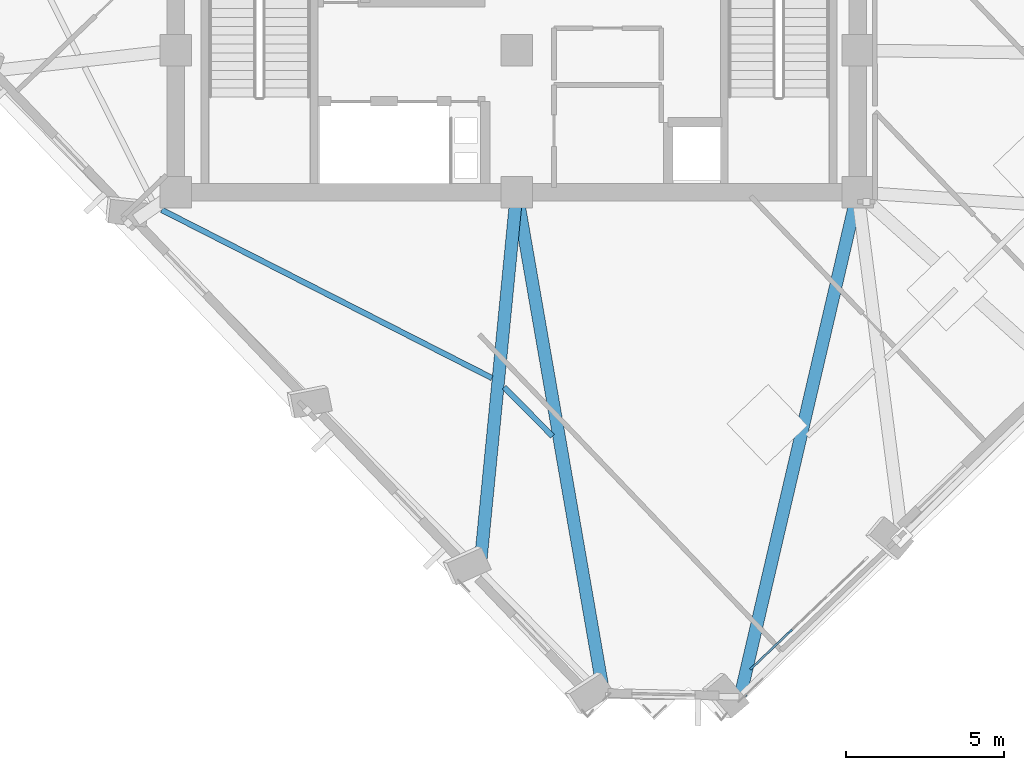
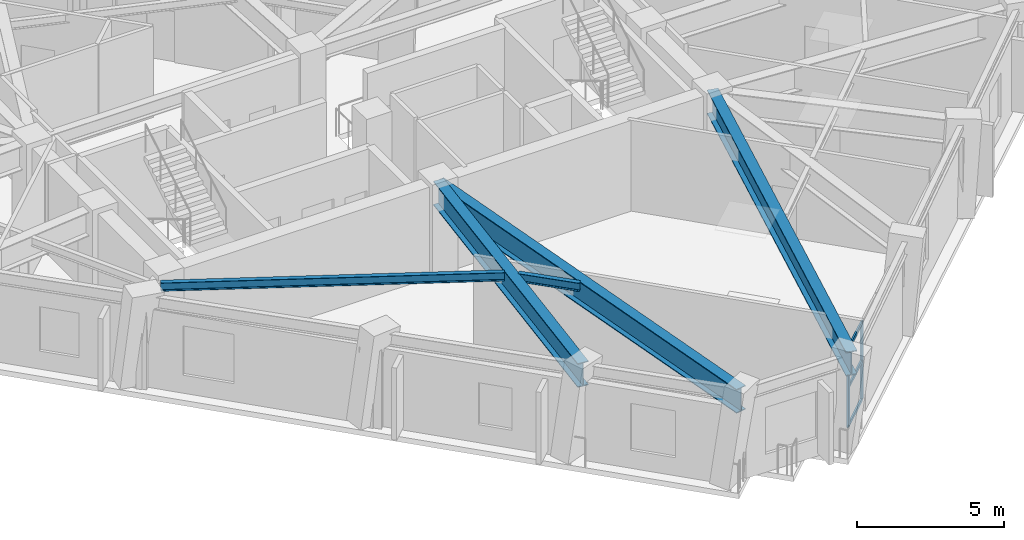
# One storey, part 2 of 17: 5 beams, 5 members, 1 element without a shape of its own.
"""IFC4 building model written with IfcOpenShell, lengths in metres."""

from ifc_helpers import new_model, si_unit, direction, frame, origin, origin_2d, place, context, subcontext, project, spatial, rectangle, i_section, extrude, material, material_profile, profile_set, type_object, element, aggregate, save


model = new_model("IFC4")

# Units and contexts
model_context = context("Model", 3, precision=1e-05, world=origin(), true_north=direction((0.0, 1.0)))
body_context = subcontext(model_context, "Body", "Model", "MODEL_VIEW")
ifc_project = project(units=[si_unit("LENGTHUNIT", "METRE"), si_unit("AREAUNIT", "SQUARE_METRE"), si_unit("VOLUMEUNIT", "CUBIC_METRE"), si_unit("PLANEANGLEUNIT", "RADIAN"), si_unit("MASSUNIT", "GRAM", prefix="KILO")], contexts=[model_context])

# Site, building, storey
site_placement = place(None, origin())
site = spatial("IfcSite", under=ifc_project, at=site_placement, CompositionType="ELEMENT")
building_placement = place(site_placement, origin())
building = spatial("IfcBuilding", under=site, at=building_placement, Name="Gaonmaruhae Medical Tower", CompositionType="ELEMENT")
storey_placement = place(building_placement, frame((0.0, 0.0, 211.199951171875)))
storey = spatial("IfcBuildingStorey", under=building, at=storey_placement, Name="L50", CompositionType="ELEMENT", Elevation=211.199951171875)

# Beams
ifc_material_1 = material(Name="Steel SM420", Category="steel")
ifc_material_profile_1 = material_profile(ifc_material_1, i_section(OverallWidth=0.39990234375, OverallDepth=1.0, WebThickness=0.02197265625, FlangeThickness=0.035888671875, at=origin_2d()), Name="BH-1000x400x22x36")
ifc_profile_set_1 = profile_set([ifc_material_profile_1], Name="Steel SM420")
beam_type_1 = type_object("IfcBeamType", Name="BG-02 Refuge Floor Primary Girder (BH-1000x400x22x36)", PredefinedType="BEAM", material=ifc_profile_set_1)
beam_1_placement = place(storey_placement, frame((35.588623046875, 7.751220703125, 3.280029296875), z_axis=(-0.226871265317, -0.973924755294, 0.0), x_axis=(0.973924755294, -0.226871265317, 0.0)))
element("IfcBeam", 1, at=beam_1_placement, inside=storey, type_object=beam_type_1, Name="L50 Radial Primary Girder S01", PredefinedType="BEAM", context=body_context, shape_type="SweptSolid", body=[
    extrude(i_section(OverallWidth=0.39990234375, OverallDepth=1.0, WebThickness=0.02197265625, FlangeThickness=0.035888671875, at=origin_2d()), origin(), (0.0, 0.0, 1.0), 16.30419921875),
])
beam_2_placement = place(storey_placement, frame((24.795166015625, 7.750244140625, 3.280029296875), z_axis=(-0.097360663717, -0.995249165365, 0.0), x_axis=(0.995249165365, -0.097360663717, 0.0)))
element("IfcBeam", 2, at=beam_2_placement, inside=storey, type_object=beam_type_1, Name="L50 Radial Primary Girder W05", PredefinedType="BEAM", context=body_context, shape_type="SweptSolid", body=[
    extrude(i_section(OverallWidth=0.39990234375, OverallDepth=1.0, WebThickness=0.02197265625, FlangeThickness=0.035888671875, at=origin_2d()), origin(), (0.0, 0.0, 1.0), 11.923583984375),
])
beam_3_placement = place(storey_placement, frame((24.80859375, 7.750732421875, 3.280029296875), z_axis=(0.170796152332, -0.985306386029, 0.0), x_axis=(0.985306386029, 0.170796152332, 0.0)))
element("IfcBeam", 3, at=beam_3_placement, inside=storey, type_object=beam_type_1, Name="L50 Radial Primary Girder W06", PredefinedType="BEAM", context=body_context, shape_type="SweptSolid", body=[
    extrude(i_section(OverallWidth=0.39990234375, OverallDepth=1.0, WebThickness=0.02197265625, FlangeThickness=0.035888671875, at=origin_2d()), origin(), (0.0, 0.0, 1.0), 16.088134765625),
])

# Curtain wall, members
ifc_material_2 = material(Name="Anodised aluminium and Low-E double glazing", Category="aluminium")
curtain_wall_type = type_object("IfcCurtainWallType", Name="CW-S4 Setback Sky Garden Wintergarden Curtain Wall", PredefinedType="NOTDEFINED", material=ifc_material_2)
curtain_wall_placement = place(storey_placement, origin())
curtain_wall = element("IfcCurtainWall", 4, at=curtain_wall_placement, inside=storey, type_object=curtain_wall_type, Name="L50 Curtain Wall CW-L50-S01", PredefinedType="NOTDEFINED")
ifc_material_3 = material(Name="Anodised aluminium 6063-T6", Category="aluminium")
ifc_material_profile_2 = material_profile(ifc_material_3, rectangle(XDim=0.06494140625, YDim=0.179931640625, at=origin_2d()), Name="CWM-65x180")
ifc_profile_set_2 = profile_set([ifc_material_profile_2], Name="Anodised aluminium 6063-T6")
member_type_1 = type_object("IfcMemberType", Name="CWM-2 Tower Feature Curtain Wall Mullion (CWM-65x180)", PredefinedType="MULLION", material=ifc_profile_set_2)
member_1_placement = place(storey_placement, frame((33.45654296875, -6.113037109375, 0.0), z_axis=(0.0, 0.0, 1.0), x_axis=(0.690882372162, -0.722967183097, 0.0)))
member_1 = element("IfcMember", 5, at=member_1_placement, type_object=member_type_1, Name="CW-S4 mullion 3", PredefinedType="MULLION", context=body_context, shape_type="SweptSolid", body=[
    extrude(rectangle(XDim=0.06494140625, YDim=0.179931640625, at=origin_2d()), origin(), (0.0, 0.0, 1.0), 3.26513671875),
])
member_2_placement = place(storey_placement, frame((32.2626953125, -7.254150390625, 0.0), z_axis=(0.0, 0.0, 1.0), x_axis=(0.690882372162, -0.722967183097, 0.0)))
member_2 = element("IfcMember", 6, at=member_2_placement, type_object=member_type_1, Name="CW-S4 mullion 4", PredefinedType="MULLION", context=body_context, shape_type="SweptSolid", body=[
    extrude(rectangle(XDim=0.06494140625, YDim=0.179931640625, at=origin_2d()), origin(), (0.0, 0.0, 1.0), 3.26513671875),
])
ifc_material_profile_3 = material_profile(ifc_material_3, rectangle(XDim=0.06494140625, YDim=0.139892578125, at=origin_2d()), Name="CWT-65x140")
ifc_profile_set_3 = profile_set([ifc_material_profile_3], Name="Anodised aluminium 6063-T6")
member_type_2 = type_object("IfcMemberType", Name="CWT-2 Tower Feature Curtain Wall Transom (CWT-65x140)", PredefinedType="USERDEFINED", material=ifc_profile_set_3)
member_3_placement = place(storey_placement, frame((33.43310546875, -6.135498046875, 0.032470703125), z_axis=(-0.722929199762, -0.690922117269, 0.0), x_axis=(0.690922117269, -0.722929199762, 0.0)))
member_3 = element("IfcMember", 7, at=member_3_placement, type_object=member_type_2, Name="CW-S4 transom 3.1", ObjectType="TRANSOM", PredefinedType="USERDEFINED", context=body_context, shape_type="SweptSolid", body=[
    extrude(rectangle(XDim=0.06494140625, YDim=0.139892578125, at=origin_2d()), origin(), (0.0, 0.0, 1.0), 1.586669921875),
])
member_4_placement = place(storey_placement, frame((33.43310546875, -6.135498046875, 1.632568359375), z_axis=(-0.722929199762, -0.690922117269, 0.0), x_axis=(0.690922117269, -0.722929199762, 0.0)))
member_4 = element("IfcMember", 8, at=member_4_placement, type_object=member_type_2, Name="CW-S4 transom 3.2", ObjectType="TRANSOM", PredefinedType="USERDEFINED", context=body_context, shape_type="SweptSolid", body=[
    extrude(rectangle(XDim=0.06494140625, YDim=0.139892578125, at=origin_2d()), origin(), (0.0, 0.0, 1.0), 1.586669921875),
])
member_5_placement = place(storey_placement, frame((33.43310546875, -6.135498046875, 3.232666015625), z_axis=(-0.722929199762, -0.690922117269, 0.0), x_axis=(0.690922117269, -0.722929199762, 0.0)))
member_5 = element("IfcMember", 9, at=member_5_placement, type_object=member_type_2, Name="CW-S4 transom 3.3", ObjectType="TRANSOM", PredefinedType="USERDEFINED", context=body_context, shape_type="SweptSolid", body=[
    extrude(rectangle(XDim=0.06494140625, YDim=0.139892578125, at=origin_2d()), origin(), (0.0, 0.0, 1.0), 1.586669921875),
])
aggregate(curtain_wall, [member_1, member_2, member_3, member_4, member_5])

# Beams
ifc_material_4 = material(Name="Steel SM355", Category="steel")
ifc_material_profile_4 = material_profile(ifc_material_4, i_section(OverallWidth=0.175048828125, OverallDepth=0.35009765625, WebThickness=0.007080078125, FlangeThickness=0.010986328125, FilletRadius=0.012939453125, at=origin_2d()), Name="H-350x175x7x11")
ifc_profile_set_4 = profile_set([ifc_material_profile_4], Name="Steel SM355")
beam_type_2 = type_object("IfcBeamType", Name="FJ-02 Upper Zone Ward Floor Joist (H-350x175x7x11)", PredefinedType="JOIST", material=ifc_profile_set_4)
beam_4_placement = place(storey_placement, frame((13.55810546875, 7.242431640625, 3.60498046875), z_axis=(0.891150424536, -0.453707968686, 0.0), x_axis=(0.453707968686, 0.891150424536, 0.0)))
element("IfcBeam", 10, at=beam_4_placement, inside=storey, type_object=beam_type_2, Name="L50 Secondary Floor Joist FJ18", PredefinedType="JOIST", context=body_context, shape_type="SweptSolid", body=[
    extrude(i_section(OverallWidth=0.175048828125, OverallDepth=0.35009765625, WebThickness=0.007080078125, FlangeThickness=0.010986328125, FilletRadius=0.012939453125, at=origin_2d()), origin(), (0.0, 0.0, 1.0), 11.737548828125),
])
beam_5_placement = place(storey_placement, frame((24.40185546875, 1.62744140625, 3.60498046875), z_axis=(0.702776931192, -0.711410278942, 0.0), x_axis=(0.711410278942, 0.702776931192, 0.0)))
element("IfcBeam", 11, at=beam_5_placement, inside=storey, type_object=beam_type_2, Name="L50 Secondary Floor Joist FJ19", PredefinedType="JOIST", context=body_context, shape_type="SweptSolid", body=[
    extrude(i_section(OverallWidth=0.175048828125, OverallDepth=0.35009765625, WebThickness=0.007080078125, FlangeThickness=0.010986328125, FilletRadius=0.012939453125, at=origin_2d()), origin(), (0.0, 0.0, 1.0), 2.177490234375),
])

save(model, "model.ifc")
